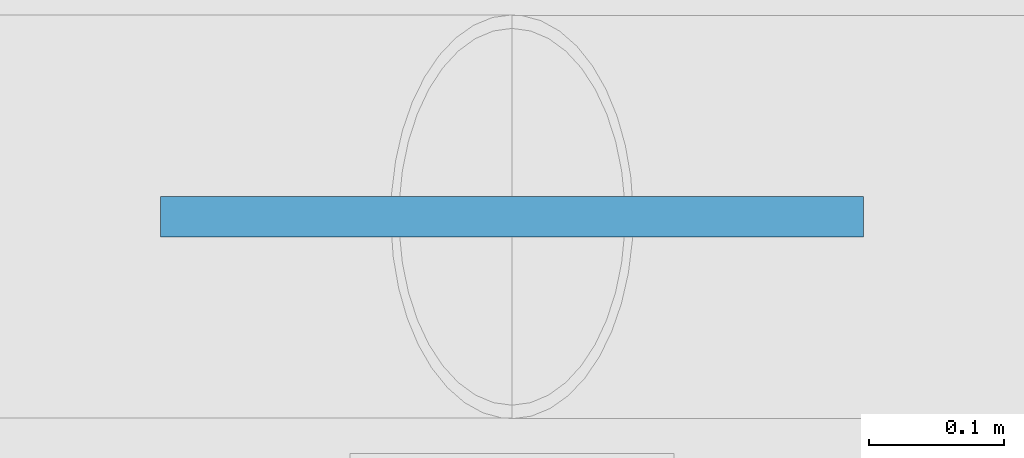
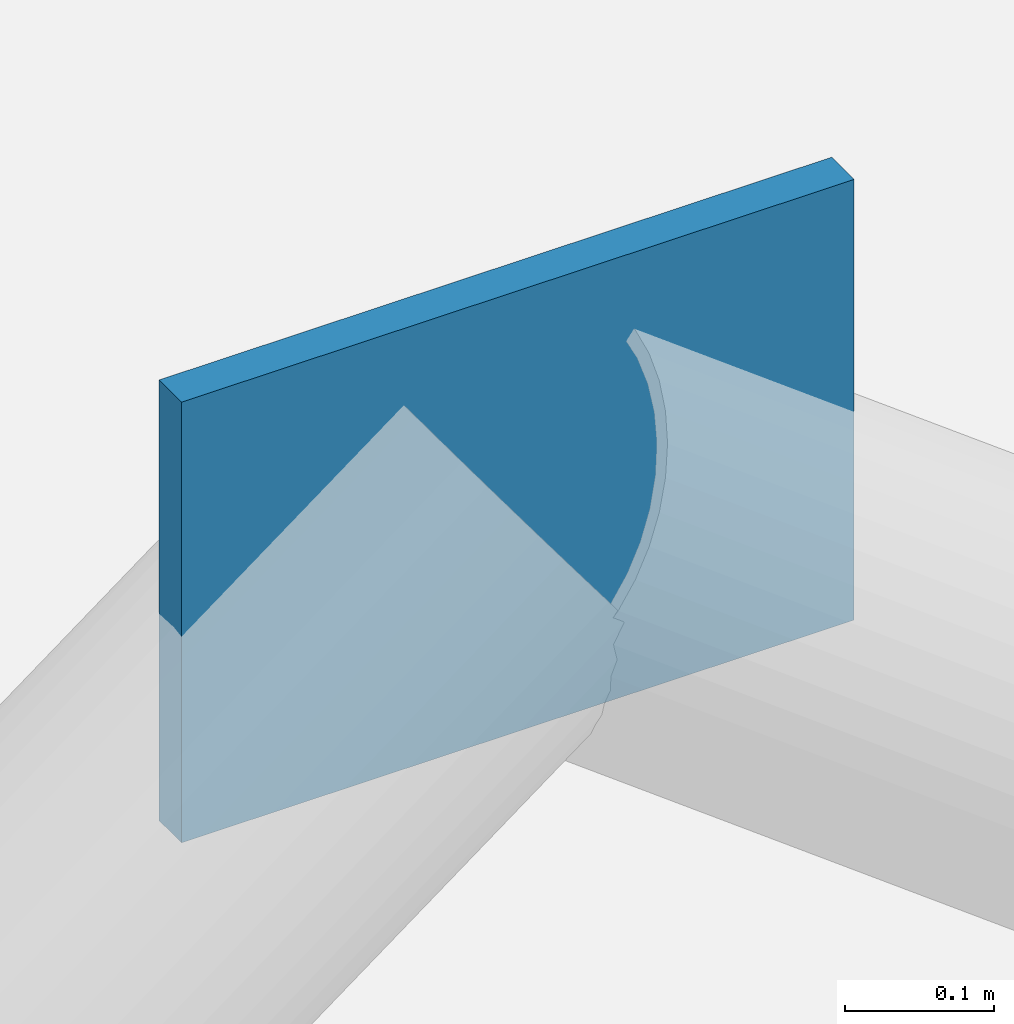
# One storey, part 36 of 83: 1 plate.
"""IFC4 building model written with IfcOpenShell, lengths in metres."""

from ifc_helpers import new_model, si_unit, derived_unit, direction, frame, origin, origin_2d, place, context, subcontext, project, spatial, rectangle, extrude, material, layer, layer_set, type_object, element, save


model = new_model("IFC4")

# Units and contexts
model_context = context("Model", 3, precision=1e-05, world=origin(), true_north=direction((0.0, 1.0)))
body_context = subcontext(model_context, "Body", "Model", "MODEL_VIEW")
ifc_project = project(units=[si_unit("LENGTHUNIT", "METRE"), si_unit("AREAUNIT", "SQUARE_METRE"), si_unit("VOLUMEUNIT", "CUBIC_METRE"), si_unit("PLANEANGLEUNIT", "RADIAN"), si_unit("MASSUNIT", "GRAM", prefix="KILO"), si_unit("THERMODYNAMICTEMPERATUREUNIT", "KELVIN"), derived_unit("THERMALTRANSMITTANCEUNIT", [(si_unit("POWERUNIT", "WATT"), 1), (si_unit("AREAUNIT", "SQUARE_METRE"), -1), (si_unit("THERMODYNAMICTEMPERATUREUNIT", "KELVIN"), -1)])], contexts=[model_context])

# Site, building, storey
site_placement = place(None, origin())
site = spatial("IfcSite", under=ifc_project, at=site_placement, CompositionType="ELEMENT")
building_placement = place(site_placement, origin())
building = spatial("IfcBuilding", under=site, at=building_placement, Name="Haiyu Intermodal Mobility Hub", CompositionType="ELEMENT")
storey_placement = place(building_placement, frame((0.0, 0.0, 13.39990234375)))
storey = spatial("IfcBuildingStorey", under=building, at=storey_placement, Name="L03", CompositionType="ELEMENT", Elevation=13.39990234375)

# Plate
ifc_material = material(Name="Steel Q355C", Category="steel")
ifc_layer = layer(ifc_material, 0.030029296875)
ifc_layer_set = layer_set([ifc_layer], Name="Steel Q355C")
plate_type = type_object("IfcPlateType", Name="PLT-GP05", PredefinedType="USERDEFINED", material=ifc_layer_set)
plate_placement = place(storey_placement, frame((182.0, 122.0, 2.81982421875), z_axis=(0.0, 0.0, 1.0), x_axis=(1.0, 0.0, 0.0)))
element("IfcPlate", 1, at=plate_placement, inside=storey, type_object=plate_type, Name="Chevron Brace Apex Gusset GP-B106", ObjectType="GUSSET PLATE", PredefinedType="USERDEFINED", context=body_context, shape_type="SweptSolid", body=[
    extrude(rectangle(XDim=0.52001953125, YDim=0.030029296875, at=origin_2d()), origin(), (0.0, 0.0, 1.0), 0.360107421875),
])

save(model, "model.ifc")
